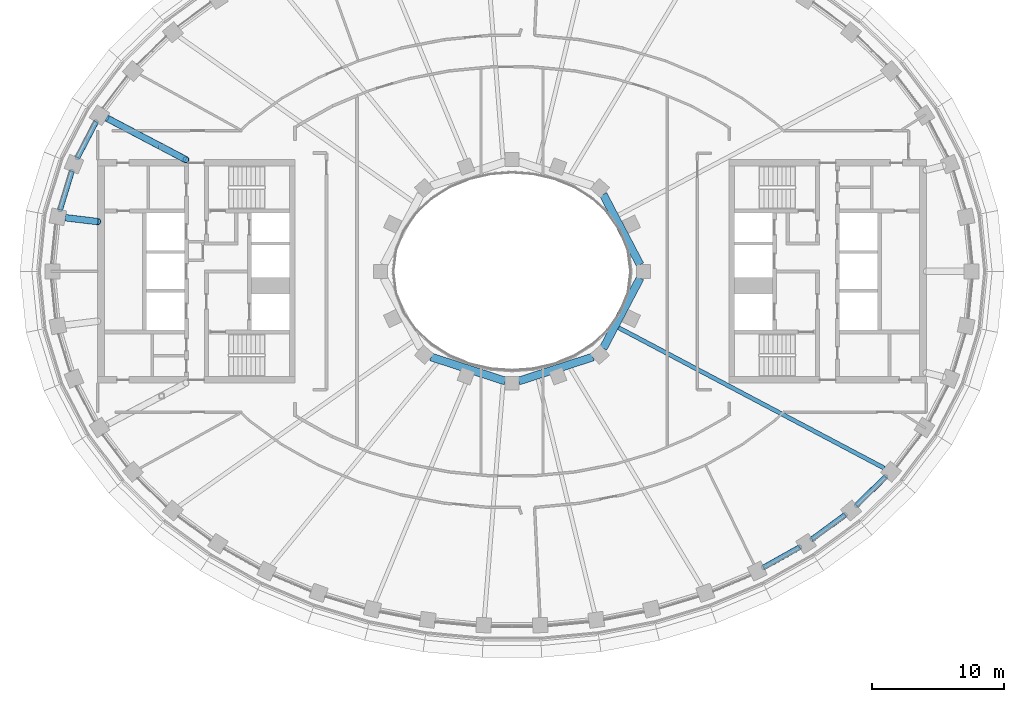
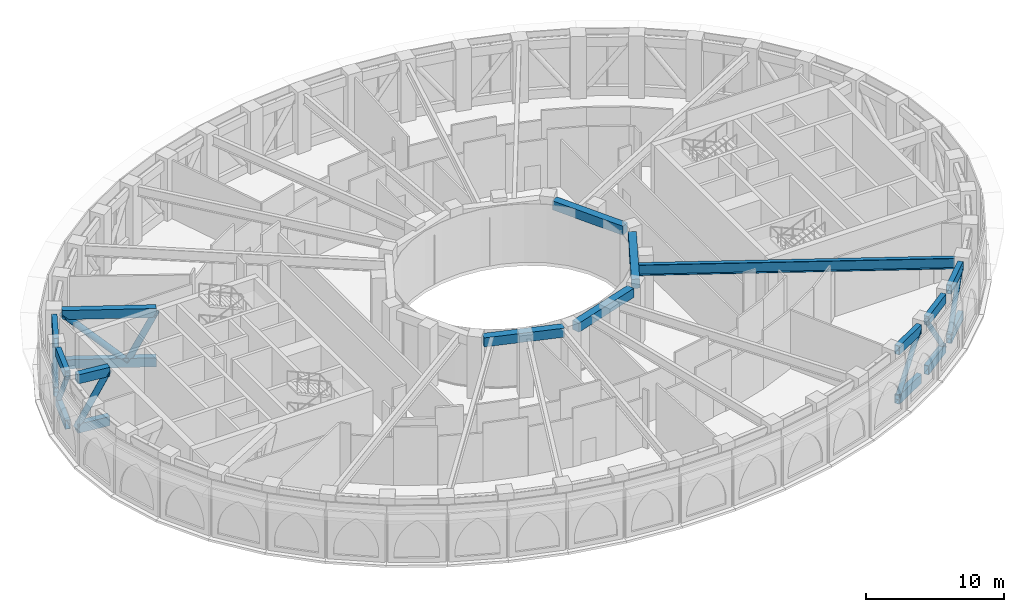
# One storey, part 3 of 25: 19 beams, 8 members.
"""IFC4 building model written with IfcOpenShell, lengths in metres."""

from ifc_helpers import new_model, si_unit, direction, frame, origin, origin_2d, place, context, subcontext, project, spatial, rectangle, hollow_rectangle, hollow_circle, i_section, extrude, material, material_profile, profile_set, type_object, element, save


model = new_model("IFC4")

# Units and contexts
model_context = context("Model", 3, precision=1e-05, world=origin(), true_north=direction((0.0, 1.0)))
body_context = subcontext(model_context, "Body", "Model", "MODEL_VIEW")
ifc_project = project(units=[si_unit("LENGTHUNIT", "METRE"), si_unit("AREAUNIT", "SQUARE_METRE"), si_unit("VOLUMEUNIT", "CUBIC_METRE"), si_unit("PLANEANGLEUNIT", "RADIAN"), si_unit("MASSUNIT", "GRAM", prefix="KILO")], contexts=[model_context])

# Site, building, storey
site_placement = place(None, origin())
site = spatial("IfcSite", under=ifc_project, at=site_placement, CompositionType="ELEMENT")
building_placement = place(site_placement, origin())
building = spatial("IfcBuilding", under=site, at=building_placement, Name="Noorbagh Ring Tower", CompositionType="ELEMENT")
storey_placement = place(building_placement, frame((0.0, 0.0, 198.0)))
storey = spatial("IfcBuildingStorey", under=building, at=storey_placement, Name="L46", CompositionType="ELEMENT", Elevation=198.0)

# Beams
ifc_material_1 = material(Name="Steel S460", Category="steel")
ifc_material_profile_1 = material_profile(ifc_material_1, hollow_rectangle(XDim=0.39990234375, YDim=0.800048828125, WallThickness=0.031982421875, at=origin_2d()), Name="BOX800x400x32")
ifc_profile_set_1 = profile_set([ifc_material_profile_1], Name="Steel S460")
beam_type_1 = type_object("IfcBeamType", Name="STR-BELT-TRUSS-CHORD-BOX800x400x32-S460", PredefinedType="BEAM", material=ifc_profile_set_1)
for number, where, z_axis, x_axis, name in (
    (1, (-31.62255859375, 11.376953125, 0.39990234375), (-0.462292608065, -0.886727435308, 0.0), (0.886727435308, -0.462292608065, 0.0), "Belt truss chord"),
    (2, (-31.62255859375, 11.376953125, 4.75), (-0.462292608065, -0.886727435308, 0.0), (0.886727435308, -0.462292608065, 0.0), "Belt truss chord"),
):
    element("IfcBeam", number, at=place(storey_placement, frame(where, z_axis=z_axis, x_axis=x_axis)), inside=storey, type_object=beam_type_1, Name=name, PredefinedType="BEAM", context=body_context, shape_type="SweptSolid", body=[
        extrude(hollow_rectangle(XDim=0.39990234375, YDim=0.800048828125, WallThickness=0.031982421875, at=origin_2d()), origin(), (0.0, 0.0, 1.0), 3.08251953125),
    ])
for number, where, z_axis, x_axis, name in (
    (3, (-33.468017578125, 7.6162109375, 0.39990234375), (-0.2921659349, -0.956367641906, 0.0), (0.956367641906, -0.2921659349, 0.0), "Belt truss chord"),
    (4, (-33.468017578125, 7.6162109375, 4.75), (-0.2921659349, -0.956367641906, 0.0), (0.956367641906, -0.2921659349, 0.0), "Belt truss chord"),
):
    element("IfcBeam", number, at=place(storey_placement, frame(where, z_axis=z_axis, x_axis=x_axis)), inside=storey, type_object=beam_type_1, Name=name, PredefinedType="BEAM", context=body_context, shape_type="SweptSolid", body=[
        extrude(hollow_rectangle(XDim=0.39990234375, YDim=0.800048828125, WallThickness=0.031982421875, at=origin_2d()), origin(), (0.0, 0.0, 1.0), 3.06591796875),
    ])
for number, where, z_axis, x_axis, name in (
    (5, (19.131103515625, -22.513427734375, 0.39990234375), (0.87203893693, 0.489436505053, 0.0), (-0.489436505053, 0.87203893693, 0.0), "Belt truss chord"),
    (6, (19.131103515625, -22.513427734375, 4.75), (0.87203893693, 0.489436505053, 0.0), (-0.489436505053, 0.87203893693, 0.0), "Belt truss chord"),
):
    element("IfcBeam", number, at=place(storey_placement, frame(where, z_axis=z_axis, x_axis=x_axis)), inside=storey, type_object=beam_type_1, Name=name, PredefinedType="BEAM", context=body_context, shape_type="SweptSolid", body=[
        extrude(hollow_rectangle(XDim=0.39990234375, YDim=0.800048828125, WallThickness=0.031982421875, at=origin_2d()), origin(), (0.0, 0.0, 1.0), 3.149169921875),
    ])
for number, where, z_axis, x_axis, name in (
    (7, (22.809814453125, -20.3701171875, 0.39990234375), (0.805145840143, 0.593076871999, 0.0), (-0.593076871999, 0.805145840143, 0.0), "Belt truss chord"),
    (8, (22.809814453125, -20.3701171875, 4.75), (0.805145840143, 0.593076871999, 0.0), (-0.593076871999, 0.805145840143, 0.0), "Belt truss chord"),
):
    element("IfcBeam", number, at=place(storey_placement, frame(where, z_axis=z_axis, x_axis=x_axis)), inside=storey, type_object=beam_type_1, Name=name, PredefinedType="BEAM", context=body_context, shape_type="SweptSolid", body=[
        extrude(hollow_rectangle(XDim=0.39990234375, YDim=0.800048828125, WallThickness=0.031982421875, at=origin_2d()), origin(), (0.0, 0.0, 1.0), 3.135986328125),
    ])
for number, where, z_axis, x_axis, name in (
    (9, (26.181640625, -17.792724609375, 0.39990234375), (0.717243627205, 0.696822487606, 0.0), (-0.696822487606, 0.717243627205, 0.0), "Belt truss chord"),
    (10, (26.181640625, -17.792724609375, 4.75), (0.717243627205, 0.696822487606, 0.0), (-0.696822487606, 0.717243627205, 0.0), "Belt truss chord"),
):
    element("IfcBeam", number, at=place(storey_placement, frame(where, z_axis=z_axis, x_axis=x_axis)), inside=storey, type_object=beam_type_1, Name=name, PredefinedType="BEAM", context=body_context, shape_type="SweptSolid", body=[
        extrude(hollow_rectangle(XDim=0.39990234375, YDim=0.800048828125, WallThickness=0.031982421875, at=origin_2d()), origin(), (0.0, 0.0, 1.0), 3.120361328125),
    ])

# Members
ifc_material_2 = material(Name="Steel S355", Category="steel")
ifc_material_profile_2 = material_profile(ifc_material_2, hollow_circle(Radius=0.203125, WallThickness=0.01611328125, at=origin_2d()), Name="CHS406.4x16")
ifc_profile_set_2 = profile_set([ifc_material_profile_2], Name="Steel S355")
member_type_1 = type_object("IfcMemberType", Name="STR-BELT-TRUSS-DIAGONAL-CHS406.4x16", PredefinedType="BRACE", material=ifc_profile_set_2)
member_1_placement = place(storey_placement, frame((-33.047607421875, 8.6435546875, 0.39990234375), z_axis=(0.267285298438, 0.51268223425, 0.815913902274), x_axis=(-0.886727435308, 0.462292608065, 0.0)))
element("IfcMember", 11, at=member_1_placement, inside=storey, type_object=member_type_1, Name="Belt truss diagonal", PredefinedType="BRACE", context=body_context, shape_type="SweptSolid", body=[
    extrude(hollow_circle(Radius=0.203125, WallThickness=0.01611328125, at=origin_2d()), origin(), (0.0, 0.0, 1.0), 5.33154296875),
])
member_2_placement = place(storey_placement, frame((-33.468017578125, 7.6162109375, 0.39990234375), z_axis=(-0.168312884344, -0.550950597159, 0.817388654469), x_axis=(0.956367641906, -0.2921659349, 0.0)))
element("IfcMember", 12, at=member_2_placement, inside=storey, type_object=member_type_1, Name="Belt truss diagonal", PredefinedType="BRACE", context=body_context, shape_type="SweptSolid", body=[
    extrude(hollow_circle(Radius=0.203125, WallThickness=0.01611328125, at=origin_2d()), origin(), (0.0, 0.0, 1.0), 5.322021484375),
])
member_3_placement = place(storey_placement, frame((19.131103515625, -22.513427734375, 0.39990234375), z_axis=(0.511350599537, 0.286998251678, 0.810032448663), x_axis=(-0.489436505053, 0.87203893693, 0.0)))
element("IfcMember", 13, at=member_3_placement, inside=storey, type_object=member_type_1, Name="Belt truss diagonal", PredefinedType="BRACE", context=body_context, shape_type="SweptSolid", body=[
    extrude(hollow_circle(Radius=0.203125, WallThickness=0.01611328125, at=origin_2d()), origin(), (0.0, 0.0, 1.0), 5.370361328125),
])
member_4_placement = place(storey_placement, frame((25.334716796875, -18.51025390625, 0.39990234375), z_axis=(-0.470834709188, -0.346820616379, 0.811190567425), x_axis=(0.593076871999, -0.805145840143, 0.0)))
element("IfcMember", 14, at=member_4_placement, inside=storey, type_object=member_type_1, Name="Belt truss diagonal", PredefinedType="BRACE", context=body_context, shape_type="SweptSolid", body=[
    extrude(hollow_circle(Radius=0.203125, WallThickness=0.01611328125, at=origin_2d()), origin(), (0.0, 0.0, 1.0), 5.362548828125),
])
member_5_placement = place(storey_placement, frame((26.181640625, -17.792724609375, 0.39990234375), z_axis=(0.418052300959, 0.406149644631, 0.812572913546), x_axis=(-0.696822487606, 0.717243627205, 0.0)))
element("IfcMember", 15, at=member_5_placement, inside=storey, type_object=member_type_1, Name="Belt truss diagonal", PredefinedType="BRACE", context=body_context, shape_type="SweptSolid", body=[
    extrude(hollow_circle(Radius=0.203125, WallThickness=0.01611328125, at=origin_2d()), origin(), (0.0, 0.0, 1.0), 5.353515625),
])

# Beams
ifc_material_3 = material(Name="Steel S460", Category="steel")
ifc_material_profile_3 = material_profile(ifc_material_3, hollow_rectangle(XDim=0.5, YDim=0.800048828125, WallThickness=0.0400390625, at=origin_2d()), Name="BOX800x500x40")
ifc_profile_set_3 = profile_set([ifc_material_profile_3], Name="Steel S460")
beam_type_2 = type_object("IfcBeamType", Name="STR-OUTRIGGER-TRUSS-CHORD-BOX800x500x40-S460", PredefinedType="BEAM", material=ifc_profile_set_3)
for number, where, z_axis, x_axis, name in (
    (16, (-30.834716796875, 11.670166015625, 0.39990234375), (0.885184838825, -0.465239509409, 0.0), (0.465239509409, 0.885184838825, 0.0), "Outrigger truss chord"),
    (17, (-30.834716796875, 11.670166015625, 4.75), (0.885184838825, -0.465239509409, 0.0), (0.465239509409, 0.885184838825, 0.0), "Outrigger truss chord"),
):
    element("IfcBeam", number, at=place(storey_placement, frame(where, z_axis=z_axis, x_axis=x_axis)), inside=storey, type_object=beam_type_2, Name=name, PredefinedType="BEAM", context=body_context, shape_type="SweptSolid", body=[
        extrude(hollow_rectangle(XDim=0.5, YDim=0.800048828125, WallThickness=0.0400390625, at=origin_2d()), origin(), (0.0, 0.0, 1.0), 6.829345703125),
    ])
for number, where, z_axis, x_axis, name in (
    (18, (-33.973876953125, 4.084228515625, 0.39990234375), (0.992850135932, -0.119367531518, 0.0), (0.119367531518, 0.992850135932, 0.0), "Outrigger truss chord"),
    (19, (-33.973876953125, 4.084228515625, 4.75), (0.992850135932, -0.119367531518, 0.0), (0.119367531518, 0.992850135932, 0.0), "Outrigger truss chord"),
):
    element("IfcBeam", number, at=place(storey_placement, frame(where, z_axis=z_axis, x_axis=x_axis)), inside=storey, type_object=beam_type_2, Name=name, PredefinedType="BEAM", context=body_context, shape_type="SweptSolid", body=[
        extrude(hollow_rectangle(XDim=0.5, YDim=0.800048828125, WallThickness=0.0400390625, at=origin_2d()), origin(), (0.0, 0.0, 1.0), 2.51171875),
    ])

# Members
ifc_material_4 = material(Name="Steel S355", Category="steel")
ifc_material_profile_4 = material_profile(ifc_material_4, hollow_circle(Radius=0.25390625, WallThickness=0.02490234375, at=origin_2d()), Name="CHS508x25")
ifc_profile_set_4 = profile_set([ifc_material_profile_4], Name="Steel S355")
member_type_2 = type_object("IfcMemberType", Name="STR-OUTRIGGER-TRUSS-DIAGONAL-CHS508x25", PredefinedType="BRACE", material=ifc_profile_set_4)
member_6_placement = place(storey_placement, frame((-26.63720703125, 9.464111328125, 0.39990234375), z_axis=(-0.652294535186, 0.342821696035, 0.676006748557), x_axis=(-0.465224347601, -0.885192807471, 0.0)))
element("IfcMember", 20, at=member_6_placement, inside=storey, type_object=member_type_2, Name="Outrigger truss diagonal", PredefinedType="BRACE", context=body_context, shape_type="SweptSolid", body=[
    extrude(hollow_circle(Radius=0.25390625, WallThickness=0.02490234375, at=origin_2d()), origin(), (0.0, 0.0, 1.0), 6.43505859375),
])
member_7_placement = place(storey_placement, frame((-26.63720703125, 9.464111328125, 0.39990234375), z_axis=(0.38293582133, -0.20128418304, 0.901579078284), x_axis=(0.465273952516, 0.885166735203, 0.0)))
element("IfcMember", 21, at=member_7_placement, inside=storey, type_object=member_type_2, Name="Outrigger truss diagonal", PredefinedType="BRACE", context=body_context, shape_type="SweptSolid", body=[
    extrude(hollow_circle(Radius=0.25390625, WallThickness=0.02490234375, at=origin_2d()), origin(), (0.0, 0.0, 1.0), 4.824951171875),
])
member_8_placement = place(storey_placement, frame((-33.973876953125, 4.084228515625, 0.39990234375), z_axis=(0.496436921564, -0.059685190883, 0.866018510713), x_axis=(0.119367531518, 0.992850135932, 0.0)))
element("IfcMember", 22, at=member_8_placement, inside=storey, type_object=member_type_2, Name="Outrigger truss diagonal", PredefinedType="BRACE", context=body_context, shape_type="SweptSolid", body=[
    extrude(hollow_circle(Radius=0.25390625, WallThickness=0.02490234375, at=origin_2d()), origin(), (0.0, 0.0, 1.0), 5.023193359375),
])

# Beams
ifc_material_5 = material(Name="Steel S355", Category="steel")
ifc_material_profile_5 = material_profile(ifc_material_5, i_section(OverallWidth=0.320068359375, OverallDepth=0.949951171875, WebThickness=0.01611328125, FlangeThickness=0.030029296875, at=origin_2d()), Name="PG950x320x16x30")
ifc_profile_set_5 = profile_set([ifc_material_profile_5], Name="Steel S355")
beam_type_3 = type_object("IfcBeamType", Name="STR-RAD-PG950x320x16x30", PredefinedType="BEAM", material=ifc_profile_set_5)
beam_1_placement = place(storey_placement, frame((28.3134765625, -14.96337890625, 4.675048828125), z_axis=(-0.88412220417, 0.467255741638, 0.0), x_axis=(-0.467255741638, -0.88412220417, 0.0)))
element("IfcBeam", 23, at=beam_1_placement, inside=storey, type_object=beam_type_3, Name="L46/bm/RD43", PredefinedType="BEAM", context=body_context, shape_type="SweptSolid", body=[
    extrude(i_section(OverallWidth=0.320068359375, OverallDepth=0.949951171875, WebThickness=0.01611328125, FlangeThickness=0.030029296875, at=origin_2d()), origin(), (0.0, 0.0, 1.0), 22.88330078125),
])
ifc_material_6 = material(Name="Concrete C40/50", Category="concrete")
ifc_material_profile_6 = material_profile(ifc_material_6, rectangle(XDim=0.60009765625, YDim=0.800048828125, at=origin_2d()), Name="RC600x800")
ifc_profile_set_6 = profile_set([ifc_material_profile_6], Name="Concrete C40/50")
beam_type_4 = type_object("IfcBeamType", Name="STR-RB-RC600x800-C40-50", PredefinedType="BEAM", material=ifc_profile_set_6)
beam_2_placement = place(storey_placement, frame((9.741943359375, 0.50732421875, 4.75), z_axis=(-0.464929768283, 0.885347564838, 0.0), x_axis=(-0.885347564838, -0.464929768283, 0.0)))
element("IfcBeam", 24, at=beam_2_placement, inside=storey, type_object=beam_type_4, Name="L46/bm/RG01", PredefinedType="BEAM", context=body_context, shape_type="SweptSolid", body=[
    extrude(rectangle(XDim=0.60009765625, YDim=0.800048828125, at=origin_2d()), origin(), (0.0, 0.0, 1.0), 6.038818359375),
])
for number, where, z_axis, x_axis, name in (
    (25, (-6.157470703125, -6.504150390625, 4.75), (0.951147838406, -0.308735792379, 0.0), (0.308735792379, 0.951147838406, 0.0), "L46/bm/RG11"),
    (26, (0.505859375, -8.338623046875, 4.75), (0.951147838406, 0.308735792379, 0.0), (-0.308735792379, 0.951147838406, 0.0), "L46/bm/RG13"),
):
    element("IfcBeam", number, at=place(storey_placement, frame(where, z_axis=z_axis, x_axis=x_axis)), inside=storey, type_object=beam_type_4, Name=name, PredefinedType="BEAM", context=body_context, shape_type="SweptSolid", body=[
        extrude(rectangle(XDim=0.60009765625, YDim=0.800048828125, at=origin_2d()), origin(), (0.0, 0.0, 1.0), 5.94189453125),
    ])
beam_3_placement = place(storey_placement, frame((6.934326171875, -5.853759765625, 4.75), z_axis=(0.464929768283, 0.885347564838, 0.0), x_axis=(-0.885347564838, 0.464929768283, 0.0)))
element("IfcBeam", 27, at=beam_3_placement, inside=storey, type_object=beam_type_4, Name="L46/bm/RG15", PredefinedType="BEAM", context=body_context, shape_type="SweptSolid", body=[
    extrude(rectangle(XDim=0.60009765625, YDim=0.800048828125, at=origin_2d()), origin(), (0.0, 0.0, 1.0), 6.038818359375),
])

save(model, "model.ifc")
